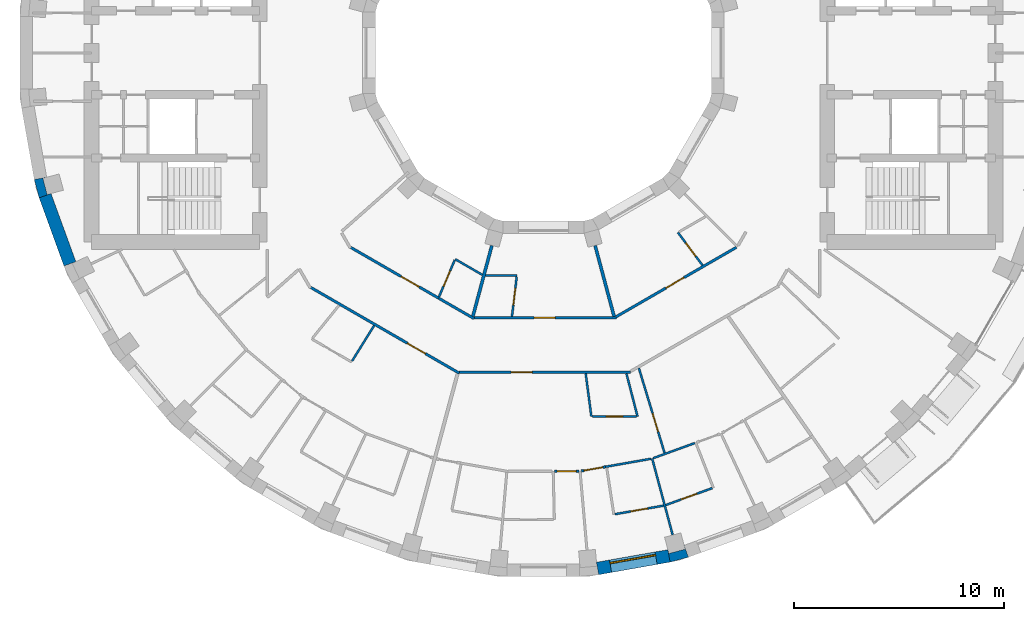
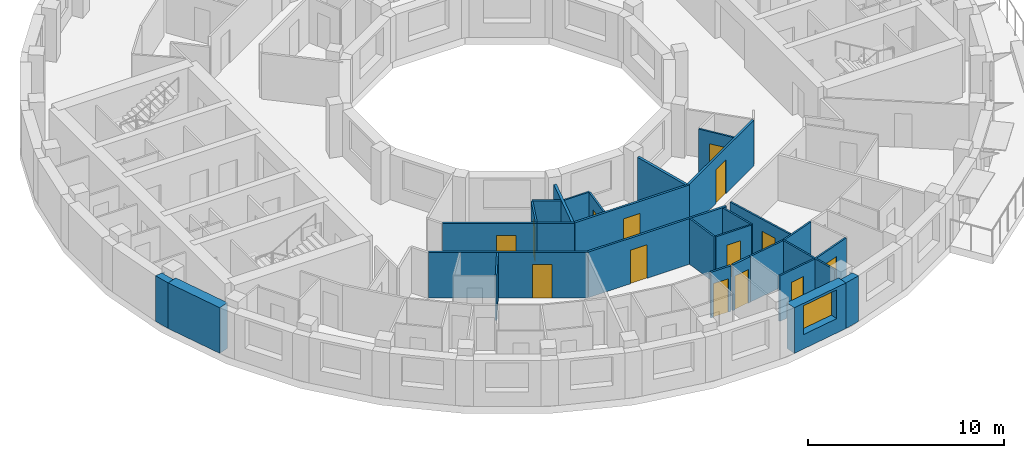
# One storey, part 5 of 14: 29 walls, 14 doors, 1 window, 15 openings.
"""IFC4 building model written with IfcOpenShell, lengths in metres."""

from ifc_helpers import new_model, si_unit, direction, frame, frame_2d, origin, place, context, subcontext, project, spatial, polyline, rectangle, outline, extrude, material, layer, layer_set, type_object, element, fill, save


model = new_model("IFC4")

# Units and contexts
model_context = context("Model", 3, precision=1e-05, world=origin(), true_north=direction((0.0, 1.0)))
body_context = subcontext(model_context, "Body", "Model", "MODEL_VIEW")
ifc_project = project(units=[si_unit("LENGTHUNIT", "METRE"), si_unit("AREAUNIT", "SQUARE_METRE"), si_unit("VOLUMEUNIT", "CUBIC_METRE"), si_unit("PLANEANGLEUNIT", "RADIAN"), si_unit("MASSUNIT", "GRAM", prefix="KILO")], contexts=[model_context])

# Site, building, storey
site_placement = place(None, origin())
site = spatial("IfcSite", under=ifc_project, at=site_placement, CompositionType="ELEMENT")
building_placement = place(site_placement, origin())
building = spatial("IfcBuilding", under=site, at=building_placement, Name="Saqina Gate Tower", CompositionType="ELEMENT")
storey_placement = place(building_placement, frame((0.0, 0.0, 174.0)))
storey = spatial("IfcBuildingStorey", under=building, at=storey_placement, Name="L49", CompositionType="ELEMENT", Elevation=174.0)

# Walls
ifc_material_1 = material(Name="Brick masonry (buff)", Category="masonry")
wall_type_1 = type_object("IfcWallType", Name="BRICK PIER COPING BUFF", PredefinedType="SOLIDWALL", material=ifc_material_1)
wall_1_placement = place(storey_placement, origin())
element("IfcWall", 1, at=wall_1_placement, inside=storey, type_object=wall_type_1, Name="Pier cap L49 column 20", PredefinedType="SOLIDWALL", context=body_context, shape_type="SweptSolid", body=[
    extrude(outline(polyline([(-24.22705078125, -6.0234375), (-23.992919921875, -6.897216796875), (-23.428955078125, -6.69189453125), (-23.610107421875, -6.740478515625), (-23.81689453125, -5.967529296875), (-23.635986328125, -5.919189453125), (-24.22705078125, -6.0234375)])), origin(), (0.0, 0.0, 1.0), 2.85009765625),
])
wall_2_placement = place(storey_placement, origin())
element("IfcWall", 2, at=wall_2_placement, inside=storey, type_object=wall_type_1, Name="Pier cap L49 column 29", PredefinedType="SOLIDWALL", context=body_context, shape_type="SweptSolid", body=[
    extrude(outline(polyline([(6.0234375, -24.22705078125), (6.897216796875, -23.992919921875), (6.69189453125, -23.428955078125), (6.740478515625, -23.610107421875), (5.967529296875, -23.81689453125), (5.919189453125, -23.635986328125), (6.0234375, -24.22705078125)])), origin(), (0.0, 0.0, 1.0), 2.85009765625),
])

# Wall, opening, window
ifc_material_2 = material(Name="Brick masonry (buff)", Category="masonry")
ifc_layer_1 = layer(ifc_material_2, 0.60009765625)
ifc_layer_set_1 = layer_set([ifc_layer_1], Name="FW-BRICK-BUFF")
wall_type_2 = type_object("IfcWallType", Name="FW-BRICK-BUFF", PredefinedType="SOLIDWALL", material=ifc_layer_set_1)
wall_3_placement = place(storey_placement, frame((2.573974609375, -24.530517578125, 0.0), z_axis=(0.0, 0.0, 1.0), x_axis=(0.984814892183, 0.173607684551, 0.0)))
wall_3 = element("IfcWall", 3, at=wall_3_placement, inside=storey, type_object=wall_type_2, Name="Facade wall L49 facet 28", PredefinedType="SOLIDWALL", context=body_context, shape_type="SweptSolid", body=[
    extrude(rectangle(XDim=3.44970703125, YDim=0.60009765625, at=frame_2d((1.724853515625, 0.0))), origin(), (0.0, 0.0, 1.0), 2.85009765625),
])
opening_1_placement = place(wall_3_placement, frame((0.625, 0.0, 0.89990234375)))
opening_1 = element("IfcOpeningElement", 4, at=opening_1_placement, cuts=wall_3, Name="Opening G14-W21", PredefinedType="OPENING", context=body_context, shape_type="SweptSolid", body=[
    extrude(rectangle(XDim=2.199951171875, YDim=1.800048828125, at=frame_2d((1.10009765625, 0.89990234375))), frame((0.0, 0.31201171875, 0.0), z_axis=(0.0, -1.0, 0.0), x_axis=(1.0, 0.0, 0.0)), (0.0, 0.0, 1.0), 0.6240234375),
])
ifc_material_3 = material(Name="Aluminium glazing", Category="aluminium")
window_type = type_object("IfcWindowType", Name="WN-C", PartitioningType="SINGLE_PANEL", PredefinedType="WINDOW", material=ifc_material_3)
window_placement = place(opening_1_placement, origin())
window = element("IfcWindow", 5, at=window_placement, inside=storey, type_object=window_type, Name="Window L49 facet 28", OverallHeight=1.800048828125, OverallWidth=2.199951171875, PartitioningType="SINGLE_PANEL", PredefinedType="WINDOW", context=body_context, shape_type="SweptSolid", body=[
    extrude(rectangle(XDim=2.199951171875, YDim=1.800048828125, at=frame_2d((1.10009765625, 0.89990234375))), frame((0.0, 0.179931640625, 0.0), z_axis=(0.0, -1.0, 0.0), x_axis=(1.0, 0.0, 0.0)), (0.0, 0.0, 1.0), 0.06005859375),
])
fill(opening_1, window)

# Walls
ifc_material_4 = material(Name="Glazed ceramic tile", Category="ceramic")
ifc_layer_2 = layer(ifc_material_4, 0.60009765625)
ifc_layer_set_2 = layer_set([ifc_layer_2], Name="FW-TILE")
wall_type_3 = type_object("IfcWallType", Name="FW-TILE", PredefinedType="SOLIDWALL", material=ifc_layer_set_2)
wall_4_placement = place(storey_placement, frame((-23.7109375, -6.79443359375, 0.0), z_axis=(0.0, 0.0, 1.0), x_axis=(0.342032843455, -0.93968799822, 0.0)))
element("IfcWall", 6, at=wall_4_placement, inside=storey, type_object=wall_type_3, Name="Facade wall L49 facet 20", PredefinedType="SOLIDWALL", context=body_context, shape_type="SweptSolid", body=[
    extrude(rectangle(XDim=3.44970703125, YDim=0.60009765625, at=frame_2d((1.724853515625, 0.0))), origin(), (0.0, 0.0, 1.0), 2.85009765625),
])
ifc_material_5 = material(Name="Gypsum board on steel studs, 100 mm", Category="steel")
ifc_layer_3 = layer(ifc_material_5, 0.10009765625)
ifc_layer_set_3 = layer_set([ifc_layer_3], Name="PARTITION 100")
wall_type_4 = type_object("IfcWallType", Name="PARTITION 100", PredefinedType="PARTITIONING", material=ifc_layer_set_3)
wall_5_placement = place(storey_placement, frame((2.00927734375, -15.261962890625, 0.0), z_axis=(0.0, 0.0, 1.0), x_axis=(0.130755571898, -0.991414635971, 0.0)))
element("IfcWall", 7, at=wall_5_placement, inside=storey, type_object=wall_type_4, Name="PARTITION PW3-07", PredefinedType="PARTITIONING", context=body_context, shape_type="SweptSolid", body=[
    extrude(rectangle(XDim=2.0556640625, YDim=0.10009765625, at=frame_2d((1.02783203125, 0.0))), origin(), (0.0, 0.0, 1.0), 2.85009765625),
])
wall_6_placement = place(storey_placement, frame((3.94775390625, -15.260498046875, 0.0), z_axis=(0.0, 0.0, 1.0), x_axis=(0.250326635419, -0.968161440876, 0.0)))
element("IfcWall", 8, at=wall_6_placement, inside=storey, type_object=wall_type_4, Name="PARTITION PW3-11", PredefinedType="PARTITIONING", context=body_context, shape_type="SweptSolid", body=[
    extrude(rectangle(XDim=2.106689453125, YDim=0.10009765625, at=frame_2d((1.05322265625, 0.0))), origin(), (0.0, 0.0, 1.0), 2.85009765625),
])
wall_7_placement = place(storey_placement, frame((5.1708984375, -19.300048828125, 0.0), z_axis=(0.0, 0.0, 1.0), x_axis=(0.259065026248, -0.965859882268, 0.0)))
element("IfcWall", 9, at=wall_7_placement, inside=storey, type_object=wall_type_4, Name="PARTITION PW3-12", PredefinedType="PARTITIONING", context=body_context, shape_type="SweptSolid", body=[
    extrude(rectangle(XDim=3.75927734375, YDim=0.10009765625, at=frame_2d((1.879638671875, 0.0))), origin(), (0.0, 0.0, 1.0), 2.85009765625),
])

# Wall, opening, door
wall_8_placement = place(storey_placement, frame((4.539306640625, -15.0009765625, 0.0), z_axis=(0.0, 0.0, 1.0), x_axis=(0.289622909768, -0.95714083088, 0.0)))
wall_8 = element("IfcWall", 10, at=wall_8_placement, inside=storey, type_object=wall_type_4, Name="PARTITION PW3-14", PredefinedType="PARTITIONING", context=body_context, shape_type="SweptSolid", body=[
    extrude(rectangle(XDim=4.212158203125, YDim=0.10009765625, at=frame_2d((2.10595703125, 0.0))), origin(), (0.0, 0.0, 1.0), 2.85009765625),
])
opening_2_placement = place(wall_8_placement, frame((2.25, 0.0, 0.0)))
opening_2 = element("IfcOpeningElement", 11, at=opening_2_placement, cuts=wall_8, Name="Opening G14-D54", PredefinedType="OPENING", context=body_context, shape_type="SweptSolid", body=[
    extrude(rectangle(XDim=0.89990234375, YDim=2.10009765625, at=frame_2d((0.449951171875, 1.050048828125))), frame((0.0, 0.06201171875, 0.0), z_axis=(0.0, -1.0, 0.0), x_axis=(1.0, 0.0, 0.0)), (0.0, 0.0, 1.0), 0.1240234375),
])
ifc_material_6 = material(Name="Timber door leaf, 900 mm", Category="wood")
door_type_1 = type_object("IfcDoorType", Name="DOOR 900 TIMBER", OperationType="SINGLE_SWING_LEFT", PredefinedType="DOOR", material=ifc_material_6)
door_1_placement = place(opening_2_placement, frame((0.89990234375, 0.0, 0.0), z_axis=(0.0, 0.0, 1.0), x_axis=(-1.0, 0.0, 0.0)))
door_1 = element("IfcDoor", 12, at=door_1_placement, inside=storey, type_object=door_type_1, Name="DOOR G14-D54", OperationType="SINGLE_SWING_RIGHT", OverallHeight=2.10009765625, OverallWidth=0.89990234375, PredefinedType="DOOR", context=body_context, shape_type="SweptSolid", body=[
    extrude(rectangle(XDim=0.89990234375, YDim=2.10009765625, at=frame_2d((0.449951171875, 1.050048828125))), frame((0.0, 0.02490234375, 0.0), z_axis=(0.0, -1.0, 0.0), x_axis=(1.0, 0.0, 0.0)), (0.0, 0.0, 1.0), 0.050048828125),
])
fill(opening_2, door_1)

wall_9_placement = place(storey_placement, frame((6.39697265625, -8.5458984375, 0.0), z_axis=(0.0, 0.0, 1.0), x_axis=(0.59915927021, -0.800629857626, 0.0)))
wall_9 = element("IfcWall", 13, at=wall_9_placement, inside=storey, type_object=wall_type_4, Name="PARTITION PW3-25", PredefinedType="PARTITIONING", context=body_context, shape_type="SweptSolid", body=[
    extrude(rectangle(XDim=1.9521484375, YDim=0.10009765625, at=frame_2d((0.97607421875, 0.0))), origin(), (0.0, 0.0, 1.0), 2.85009765625),
])
opening_3_placement = place(wall_9_placement, frame((0.607421875, 0.0, 0.0)))
opening_3 = element("IfcOpeningElement", 14, at=opening_3_placement, cuts=wall_9, Name="Opening G14-D60", PredefinedType="OPENING", context=body_context, shape_type="SweptSolid", body=[
    extrude(rectangle(XDim=0.800048828125, YDim=2.10009765625, at=frame_2d((0.39990234375, 1.050048828125))), frame((0.0, 0.06201171875, 0.0), z_axis=(0.0, -1.0, 0.0), x_axis=(1.0, 0.0, 0.0)), (0.0, 0.0, 1.0), 0.1240234375),
])
ifc_material_7 = material(Name="Timber door leaf, 800 mm", Category="wood")
door_type_2 = type_object("IfcDoorType", Name="DOOR 800 TIMBER", OperationType="SINGLE_SWING_LEFT", PredefinedType="DOOR", material=ifc_material_7)
door_2_placement = place(opening_3_placement, frame((0.800048828125, 0.0, 0.0), z_axis=(0.0, 0.0, 1.0), x_axis=(-1.0, 0.0, 0.0)))
door_2 = element("IfcDoor", 15, at=door_2_placement, inside=storey, type_object=door_type_2, Name="DOOR G14-D60", OperationType="SINGLE_SWING_LEFT", OverallHeight=2.10009765625, OverallWidth=0.800048828125, PredefinedType="DOOR", context=body_context, shape_type="SweptSolid", body=[
    extrude(rectangle(XDim=0.800048828125, YDim=2.10009765625, at=frame_2d((0.39990234375, 1.050048828125))), frame((0.0, 0.02490234375, 0.0), z_axis=(0.0, -1.0, 0.0), x_axis=(1.0, 0.0, 0.0)), (0.0, 0.0, 1.0), 0.050048828125),
])
fill(opening_3, door_2)

# Wall
wall_10_placement = place(storey_placement, frame((-4.202880859375, -9.81298828125, 0.0), z_axis=(0.0, 0.0, 1.0), x_axis=(0.865968547448, -0.500098465136, 0.0)))
element("IfcWall", 16, at=wall_10_placement, inside=storey, type_object=wall_type_4, Name="PARTITION PW3-38", PredefinedType="PARTITIONING", context=body_context, shape_type="SweptSolid", body=[
    extrude(rectangle(XDim=1.498779296875, YDim=0.10009765625, at=frame_2d((0.74951171875, 0.0))), origin(), (0.0, 0.0, 1.0), 2.85009765625),
])

# Wall, opening, door
wall_11_placement = place(storey_placement, frame((2.327880859375, -17.300048828125, 0.0), z_axis=(0.0, 0.0, 1.0), x_axis=(1.0, 0.0, 0.0)))
wall_11 = element("IfcWall", 17, at=wall_11_placement, inside=storey, type_object=wall_type_4, Name="PARTITION PW3-52", PredefinedType="PARTITIONING", context=body_context, shape_type="SweptSolid", body=[
    extrude(rectangle(XDim=2.09716796875, YDim=0.10009765625, at=frame_2d((1.048583984375, 0.0))), origin(), (0.0, 0.0, 1.0), 2.85009765625),
])
opening_4_placement = place(wall_11_placement, frame((0.6484375, 0.0, 0.0)))
opening_4 = element("IfcOpeningElement", 18, at=opening_4_placement, cuts=wall_11, Name="Opening G14-D52", PredefinedType="OPENING", context=body_context, shape_type="SweptSolid", body=[
    extrude(rectangle(XDim=0.800048828125, YDim=2.10009765625, at=frame_2d((0.39990234375, 1.050048828125))), frame((0.0, 0.06201171875, 0.0), z_axis=(0.0, -1.0, 0.0), x_axis=(1.0, 0.0, 0.0)), (0.0, 0.0, 1.0), 0.1240234375),
])
door_3_placement = place(opening_4_placement, frame((0.800048828125, 0.0, 0.0), z_axis=(0.0, 0.0, 1.0), x_axis=(-1.0, 0.0, 0.0)))
door_3 = element("IfcDoor", 19, at=door_3_placement, inside=storey, type_object=door_type_2, Name="DOOR G14-D52", OperationType="SINGLE_SWING_LEFT", OverallHeight=2.10009765625, OverallWidth=0.800048828125, PredefinedType="DOOR", context=body_context, shape_type="SweptSolid", body=[
    extrude(rectangle(XDim=0.800048828125, YDim=2.10009765625, at=frame_2d((0.39990234375, 1.050048828125))), frame((0.0, 0.02490234375, 0.0), z_axis=(0.0, -1.0, 0.0), x_axis=(1.0, 0.0, 0.0)), (0.0, 0.0, 1.0), 0.050048828125),
])
fill(opening_4, door_3)

# Wall
wall_12_placement = place(storey_placement, frame((-2.764892578125, -10.60009765625, 0.0), z_axis=(0.0, 0.0, 1.0), x_axis=(1.0, 0.0, 0.0)))
element("IfcWall", 20, at=wall_12_placement, inside=storey, type_object=wall_type_4, Name="PARTITION PW3-53", PredefinedType="PARTITIONING", context=body_context, shape_type="SweptSolid", body=[
    extrude(rectangle(XDim=1.497802734375, YDim=0.10009765625, at=frame_2d((0.7490234375, 0.0))), origin(), (0.0, 0.0, 1.0), 2.85009765625),
])

# Wall, opening, door
wall_13_placement = place(storey_placement, frame((3.396240234375, -21.9482421875, 0.0), z_axis=(0.0, 0.0, 1.0), x_axis=(0.984809591131, 0.173637752855, 0.0)))
wall_13 = element("IfcWall", 21, at=wall_13_placement, inside=storey, type_object=wall_type_4, Name="PARTITION PW3-58", PredefinedType="PARTITIONING", context=body_context, shape_type="SweptSolid", body=[
    extrude(rectangle(XDim=2.359375, YDim=0.10009765625, at=frame_2d((1.1796875, 0.0))), origin(), (0.0, 0.0, 1.0), 2.85009765625),
])
opening_5_placement = place(wall_13_placement, frame((0.77978515625, 0.0, 0.0)))
opening_5 = element("IfcOpeningElement", 22, at=opening_5_placement, cuts=wall_13, Name="Opening G14-D53", PredefinedType="OPENING", context=body_context, shape_type="SweptSolid", body=[
    extrude(rectangle(XDim=0.800048828125, YDim=2.10009765625, at=frame_2d((0.39990234375, 1.050048828125))), frame((0.0, 0.06201171875, 0.0), z_axis=(0.0, -1.0, 0.0), x_axis=(1.0, 0.0, 0.0)), (0.0, 0.0, 1.0), 0.1240234375),
])
door_4_placement = place(opening_5_placement, frame((0.800048828125, 0.0, 0.0), z_axis=(0.0, 0.0, 1.0), x_axis=(-1.0, 0.0, 0.0)))
door_4 = element("IfcDoor", 23, at=door_4_placement, inside=storey, type_object=door_type_2, Name="DOOR G14-D53", OperationType="SINGLE_SWING_LEFT", OverallHeight=2.10009765625, OverallWidth=0.800048828125, PredefinedType="DOOR", context=body_context, shape_type="SweptSolid", body=[
    extrude(rectangle(XDim=0.800048828125, YDim=2.10009765625, at=frame_2d((0.39990234375, 1.050048828125))), frame((0.0, 0.02490234375, 0.0), z_axis=(0.0, -1.0, 0.0), x_axis=(1.0, 0.0, 0.0)), (0.0, 0.0, 1.0), 0.050048828125),
])
fill(opening_5, door_4)

# Wall
wall_14_placement = place(storey_placement, frame((2.95068359375, -19.69189453125, 0.0), z_axis=(0.0, 0.0, 1.0), x_axis=(0.984828120468, 0.173532628446, 0.0)))
element("IfcWall", 24, at=wall_14_placement, inside=storey, type_object=wall_type_4, Name="PARTITION PW3-59", PredefinedType="PARTITIONING", context=body_context, shape_type="SweptSolid", body=[
    extrude(rectangle(XDim=2.20458984375, YDim=0.10009765625, at=frame_2d((1.102294921875, 0.0))), origin(), (0.0, 0.0, 1.0), 2.85009765625),
])

# Wall, opening, door
wall_15_placement = place(storey_placement, frame((5.81591796875, -21.512939453125, 0.0), z_axis=(0.0, 0.0, 1.0), x_axis=(0.939699727678, 0.342000616669, 0.0)))
wall_15 = element("IfcWall", 25, at=wall_15_placement, inside=storey, type_object=wall_type_4, Name="PARTITION PW3-62", PredefinedType="PARTITIONING", context=body_context, shape_type="SweptSolid", body=[
    extrude(rectangle(XDim=2.359375, YDim=0.10009765625, at=frame_2d((1.1796875, 0.0))), origin(), (0.0, 0.0, 1.0), 2.85009765625),
])
opening_6_placement = place(wall_15_placement, frame((0.779541015625, 0.0, 0.0)))
opening_6 = element("IfcOpeningElement", 26, at=opening_6_placement, cuts=wall_15, Name="Opening G14-D55", PredefinedType="OPENING", context=body_context, shape_type="SweptSolid", body=[
    extrude(rectangle(XDim=0.800048828125, YDim=2.10009765625, at=frame_2d((0.39990234375, 1.050048828125))), frame((0.0, 0.06201171875, 0.0), z_axis=(0.0, -1.0, 0.0), x_axis=(1.0, 0.0, 0.0)), (0.0, 0.0, 1.0), 0.1240234375),
])
door_5_placement = place(opening_6_placement, frame((0.800048828125, 0.0, 0.0), z_axis=(0.0, 0.0, 1.0), x_axis=(-1.0, 0.0, 0.0)))
door_5 = element("IfcDoor", 27, at=door_5_placement, inside=storey, type_object=door_type_2, Name="DOOR G14-D55", OperationType="SINGLE_SWING_RIGHT", OverallHeight=2.10009765625, OverallWidth=0.800048828125, PredefinedType="DOOR", context=body_context, shape_type="SweptSolid", body=[
    extrude(rectangle(XDim=0.800048828125, YDim=2.10009765625, at=frame_2d((0.39990234375, 1.050048828125))), frame((0.0, 0.02490234375, 0.0), z_axis=(0.0, -1.0, 0.0), x_axis=(1.0, 0.0, 0.0)), (0.0, 0.0, 1.0), 0.050048828125),
])
fill(opening_6, door_5)

# Walls
wall_16_placement = place(storey_placement, frame((5.218017578125, -19.282958984375, 0.0), z_axis=(0.0, 0.0, 1.0), x_axis=(0.939938953839, 0.341342588987, 0.0)))
element("IfcWall", 28, at=wall_16_placement, inside=storey, type_object=wall_type_4, Name="PARTITION PW3-63", PredefinedType="PARTITIONING", context=body_context, shape_type="SweptSolid", body=[
    extrude(rectangle(XDim=2.10498046875, YDim=0.10009765625, at=frame_2d((1.052490234375, 0.0))), origin(), (0.0, 0.0, 1.0), 2.85009765625),
])
wall_17_placement = place(storey_placement, frame((-9.106689453125, -14.66064453125, 0.0), z_axis=(0.0, 0.0, 1.0), x_axis=(0.528010719156, 0.849237705508, 0.0)))
element("IfcWall", 29, at=wall_17_placement, inside=storey, type_object=wall_type_4, Name="PARTITION PW3-90", PredefinedType="PARTITIONING", context=body_context, shape_type="SweptSolid", body=[
    extrude(rectangle(XDim=1.98828125, YDim=0.10009765625, at=frame_2d((0.994140625, 0.0))), origin(), (0.0, 0.0, 1.0), 2.85009765625),
])

# Wall, opening, door
wall_18_placement = place(storey_placement, frame((-4.971435546875, -11.607421875, 0.0), z_axis=(0.0, 0.0, 1.0), x_axis=(0.393655939277, 0.919257853636, 0.0)))
wall_18 = element("IfcWall", 30, at=wall_18_placement, inside=storey, type_object=wall_type_4, Name="PARTITION PW3-95", PredefinedType="PARTITIONING", context=body_context, shape_type="SweptSolid", body=[
    extrude(rectangle(XDim=1.902099609375, YDim=0.10009765625, at=frame_2d((0.951171875, 0.0))), origin(), (0.0, 0.0, 1.0), 2.85009765625),
])
opening_7_placement = place(wall_18_placement, frame((0.544677734375, 0.0, 0.0)))
opening_7 = element("IfcOpeningElement", 31, at=opening_7_placement, cuts=wall_18, Name="Opening G14-D41", PredefinedType="OPENING", context=body_context, shape_type="SweptSolid", body=[
    extrude(rectangle(XDim=0.800048828125, YDim=2.10009765625, at=frame_2d((0.39990234375, 1.050048828125))), frame((0.0, 0.06201171875, 0.0), z_axis=(0.0, -1.0, 0.0), x_axis=(1.0, 0.0, 0.0)), (0.0, 0.0, 1.0), 0.1240234375),
])
door_6_placement = place(opening_7_placement, origin())
door_6 = element("IfcDoor", 32, at=door_6_placement, inside=storey, type_object=door_type_2, Name="DOOR G14-D41", OperationType="SINGLE_SWING_LEFT", OverallHeight=2.10009765625, OverallWidth=0.800048828125, PredefinedType="DOOR", context=body_context, shape_type="SweptSolid", body=[
    extrude(rectangle(XDim=0.800048828125, YDim=2.10009765625, at=frame_2d((0.39990234375, 1.050048828125))), frame((0.0, 0.02490234375, 0.0), z_axis=(0.0, -1.0, 0.0), x_axis=(1.0, 0.0, 0.0)), (0.0, 0.0, 1.0), 0.050048828125),
])
fill(opening_7, door_6)

wall_19_placement = place(storey_placement, frame((-1.49853515625, -12.537841796875, 0.0), z_axis=(0.0, 0.0, 1.0), x_axis=(0.118628824783, 0.992938669773, 0.0)))
wall_19 = element("IfcWall", 33, at=wall_19_placement, inside=storey, type_object=wall_type_4, Name="PARTITION PW3-100", PredefinedType="PARTITIONING", context=body_context, shape_type="SweptSolid", body=[
    extrude(rectangle(XDim=1.901611328125, YDim=0.10009765625, at=frame_2d((0.95068359375, 0.0))), origin(), (0.0, 0.0, 1.0), 2.85009765625),
])
opening_8_placement = place(wall_19_placement, frame((0.544677734375, 0.0, 0.0)))
opening_8 = element("IfcOpeningElement", 34, at=opening_8_placement, cuts=wall_19, Name="Opening G14-D46", PredefinedType="OPENING", context=body_context, shape_type="SweptSolid", body=[
    extrude(rectangle(XDim=0.800048828125, YDim=2.10009765625, at=frame_2d((0.39990234375, 1.050048828125))), frame((0.0, 0.06201171875, 0.0), z_axis=(0.0, -1.0, 0.0), x_axis=(1.0, 0.0, 0.0)), (0.0, 0.0, 1.0), 0.1240234375),
])
door_7_placement = place(opening_8_placement, frame((0.800048828125, 0.0, 0.0), z_axis=(0.0, 0.0, 1.0), x_axis=(-1.0, 0.0, 0.0)))
door_7 = element("IfcDoor", 35, at=door_7_placement, inside=storey, type_object=door_type_2, Name="DOOR G14-D46", OperationType="SINGLE_SWING_RIGHT", OverallHeight=2.10009765625, OverallWidth=0.800048828125, PredefinedType="DOOR", context=body_context, shape_type="SweptSolid", body=[
    extrude(rectangle(XDim=0.800048828125, YDim=2.10009765625, at=frame_2d((0.39990234375, 1.050048828125))), frame((0.0, 0.02490234375, 0.0), z_axis=(0.0, -1.0, 0.0), x_axis=(1.0, 0.0, 0.0)), (0.0, 0.0, 1.0), 0.050048828125),
])
fill(opening_8, door_7)

ifc_material_8 = material(Name="Gypsum board on steel studs, 125 mm, fire rated", Category="steel")
ifc_layer_4 = layer(ifc_material_8, 0.125)
ifc_layer_set_4 = layer_set([ifc_layer_4], Name="PARTITION EI 30 125")
wall_type_5 = type_object("IfcWallType", Name="PARTITION EI 30 125", PredefinedType="PARTITIONING", material=ifc_layer_set_4)
wall_20_placement = place(storey_placement, frame((-11.07275390625, -11.158203125, 0.0), z_axis=(0.0, 0.0, 1.0), x_axis=(0.865999621737, -0.500044653157, 0.0)))
wall_20 = element("IfcWall", 36, at=wall_20_placement, inside=storey, type_object=wall_type_5, Name="PARTITION PW1-16", PredefinedType="PARTITIONING", context=body_context, shape_type="SweptSolid", body=[
    extrude(rectangle(XDim=8.155029296875, YDim=0.125, at=frame_2d((4.07763671875, 0.0))), origin(), (0.0, 0.0, 1.0), 2.85009765625),
])
opening_9_placement = place(wall_20_placement, frame((5.302001953125, 0.0, 0.0)))
opening_9 = element("IfcOpeningElement", 37, at=opening_9_placement, cuts=wall_20, Name="Opening G14-D40", PredefinedType="OPENING", context=body_context, shape_type="SweptSolid", body=[
    extrude(rectangle(XDim=1.0, YDim=2.10009765625, at=frame_2d((0.5, 1.050048828125))), frame((0.0, 0.074462890625, 0.0), z_axis=(0.0, -1.0, 0.0), x_axis=(1.0, 0.0, 0.0)), (0.0, 0.0, 1.0), 0.14892578125),
])
ifc_material_9 = material(Name="Fire door leaf EI 30, 1000 mm")
door_type_3 = type_object("IfcDoorType", Name="DOOR 1000 EI 30", OperationType="SINGLE_SWING_LEFT", PredefinedType="DOOR", material=ifc_material_9)
door_8_placement = place(opening_9_placement, frame((1.0, 0.0, 0.0), z_axis=(0.0, 0.0, 1.0), x_axis=(-1.0, 0.0, 0.0)))
door_8 = element("IfcDoor", 38, at=door_8_placement, inside=storey, type_object=door_type_3, Name="DOOR G14-D40", OperationType="SINGLE_SWING_LEFT", OverallHeight=2.10009765625, OverallWidth=1.0, PredefinedType="DOOR", context=body_context, shape_type="SweptSolid", body=[
    extrude(rectangle(XDim=1.0, YDim=2.10009765625, at=frame_2d((0.5, 1.050048828125))), frame((0.0, 0.02490234375, 0.0), z_axis=(0.0, -1.0, 0.0), x_axis=(1.0, 0.0, 0.0)), (0.0, 0.0, 1.0), 0.050048828125),
])
fill(opening_9, door_8)

wall_21_placement = place(storey_placement, frame((-9.169921875, -9.255126953125, 0.0), z_axis=(0.0, 0.0, 1.0), x_axis=(0.866034433151, -0.499984360352, 0.0)))
wall_21 = element("IfcWall", 39, at=wall_21_placement, inside=storey, type_object=wall_type_5, Name="PARTITION PW1-17", PredefinedType="PARTITIONING", context=body_context, shape_type="SweptSolid", body=[
    extrude(rectangle(XDim=4.841552734375, YDim=0.125, at=frame_2d((2.4208984375, 0.0))), origin(), (0.0, 0.0, 1.0), 2.85009765625),
])
opening_10_placement = place(wall_21_placement, frame((2.762939453125, 0.0, 0.0)))
opening_10 = element("IfcOpeningElement", 40, at=opening_10_placement, cuts=wall_21, Name="Opening G14-D38", PredefinedType="OPENING", context=body_context, shape_type="SweptSolid", body=[
    extrude(rectangle(XDim=1.0, YDim=2.10009765625, at=frame_2d((0.5, 1.050048828125))), frame((0.0, 0.074462890625, 0.0), z_axis=(0.0, -1.0, 0.0), x_axis=(1.0, 0.0, 0.0)), (0.0, 0.0, 1.0), 0.14892578125),
])
door_9_placement = place(opening_10_placement, origin())
door_9 = element("IfcDoor", 41, at=door_9_placement, inside=storey, type_object=door_type_3, Name="DOOR G14-D38", OperationType="SINGLE_SWING_RIGHT", OverallHeight=2.10009765625, OverallWidth=1.0, PredefinedType="DOOR", context=body_context, shape_type="SweptSolid", body=[
    extrude(rectangle(XDim=1.0, YDim=2.10009765625, at=frame_2d((0.5, 1.050048828125))), frame((0.0, 0.02490234375, 0.0), z_axis=(0.0, -1.0, 0.0), x_axis=(1.0, 0.0, 0.0)), (0.0, 0.0, 1.0), 0.050048828125),
])
fill(opening_10, door_9)

# Wall
wall_22_placement = place(storey_placement, frame((-4.97705078125, -11.67578125, 0.0), z_axis=(0.0, 0.0, 1.0), x_axis=(0.866083998124, -0.49989849789, 0.0)))
element("IfcWall", 42, at=wall_22_placement, inside=storey, type_object=wall_type_5, Name="PARTITION PW1-18", PredefinedType="PARTITIONING", context=body_context, shape_type="SweptSolid", body=[
    extrude(rectangle(XDim=1.9208984375, YDim=0.125, at=frame_2d((0.96044921875, 0.0))), origin(), (0.0, 0.0, 1.0), 2.85009765625),
])

# Wall, opening, door
wall_23_placement = place(storey_placement, frame((0.512939453125, -19.905029296875, 0.0), z_axis=(0.0, 0.0, 1.0), x_axis=(1.0, 0.0, 0.0)))
wall_23 = element("IfcWall", 43, at=wall_23_placement, inside=storey, type_object=wall_type_5, Name="PARTITION PW1-26", PredefinedType="PARTITIONING", context=body_context, shape_type="SweptSolid", body=[
    extrude(rectangle(XDim=1.177978515625, YDim=0.125, at=frame_2d((0.5888671875, 0.0))), origin(), (0.0, 0.0, 1.0), 2.85009765625),
])
opening_11_placement = place(wall_23_placement, frame((0.138916015625, 0.0, 0.0)))
opening_11 = element("IfcOpeningElement", 44, at=opening_11_placement, cuts=wall_23, Name="Opening G14-D50", PredefinedType="OPENING", context=body_context, shape_type="SweptSolid", body=[
    extrude(rectangle(XDim=0.89990234375, YDim=2.10009765625, at=frame_2d((0.449951171875, 1.050048828125))), frame((0.0, 0.074462890625, 0.0), z_axis=(0.0, -1.0, 0.0), x_axis=(1.0, 0.0, 0.0)), (0.0, 0.0, 1.0), 0.14892578125),
])
ifc_material_10 = material(Name="Fire door leaf EI 30, 900 mm")
door_type_4 = type_object("IfcDoorType", Name="DOOR 900 EI 30", OperationType="SINGLE_SWING_LEFT", PredefinedType="DOOR", material=ifc_material_10)
door_10_placement = place(opening_11_placement, origin())
door_10 = element("IfcDoor", 45, at=door_10_placement, inside=storey, type_object=door_type_4, Name="DOOR G14-D50", OperationType="SINGLE_SWING_RIGHT", OverallHeight=2.10009765625, OverallWidth=0.89990234375, PredefinedType="DOOR", context=body_context, shape_type="SweptSolid", body=[
    extrude(rectangle(XDim=0.89990234375, YDim=2.10009765625, at=frame_2d((0.449951171875, 1.050048828125))), frame((0.0, 0.02490234375, 0.0), z_axis=(0.0, -1.0, 0.0), x_axis=(1.0, 0.0, 0.0)), (0.0, 0.0, 1.0), 0.050048828125),
])
fill(opening_11, door_10)

wall_24_placement = place(storey_placement, frame((-4.010498046875, -15.199951171875, 0.0), z_axis=(0.0, 0.0, 1.0), x_axis=(1.0, 0.0, 0.0)))
wall_24 = element("IfcWall", 46, at=wall_24_placement, inside=storey, type_object=wall_type_5, Name="PARTITION PW1-27", PredefinedType="PARTITIONING", context=body_context, shape_type="SweptSolid", body=[
    extrude(rectangle(XDim=8.155517578125, YDim=0.125, at=frame_2d((4.07763671875, 0.0))), origin(), (0.0, 0.0, 1.0), 2.85009765625),
])
opening_12_placement = place(wall_24_placement, frame((2.474609375, 0.0, 0.0)))
opening_12 = element("IfcOpeningElement", 47, at=opening_12_placement, cuts=wall_24, Name="Opening G14-D47", PredefinedType="OPENING", context=body_context, shape_type="SweptSolid", body=[
    extrude(rectangle(XDim=1.0, YDim=2.10009765625, at=frame_2d((0.5, 1.050048828125))), frame((0.0, 0.074462890625, 0.0), z_axis=(0.0, -1.0, 0.0), x_axis=(1.0, 0.0, 0.0)), (0.0, 0.0, 1.0), 0.14892578125),
])
door_11_placement = place(opening_12_placement, frame((1.0, 0.0, 0.0), z_axis=(0.0, 0.0, 1.0), x_axis=(-1.0, 0.0, 0.0)))
door_11 = element("IfcDoor", 48, at=door_11_placement, inside=storey, type_object=door_type_3, Name="DOOR G14-D47", OperationType="SINGLE_SWING_RIGHT", OverallHeight=2.10009765625, OverallWidth=1.0, PredefinedType="DOOR", context=body_context, shape_type="SweptSolid", body=[
    extrude(rectangle(XDim=1.0, YDim=2.10009765625, at=frame_2d((0.5, 1.050048828125))), frame((0.0, 0.02490234375, 0.0), z_axis=(0.0, -1.0, 0.0), x_axis=(1.0, 0.0, 0.0)), (0.0, 0.0, 1.0), 0.050048828125),
])
fill(opening_12, door_11)

wall_25_placement = place(storey_placement, frame((-3.3134765625, -12.60009765625, 0.0), z_axis=(0.0, 0.0, 1.0), x_axis=(1.0, 0.0, 0.0)))
wall_25 = element("IfcWall", 49, at=wall_25_placement, inside=storey, type_object=wall_type_5, Name="PARTITION PW1-28", PredefinedType="PARTITIONING", context=body_context, shape_type="SweptSolid", body=[
    extrude(rectangle(XDim=6.776123046875, YDim=0.125, at=frame_2d((3.38818359375, 0.0))), origin(), (0.0, 0.0, 1.0), 2.85009765625),
])
opening_13_placement = place(wall_25_placement, frame((2.864013671875, 0.0, 0.0)))
opening_13 = element("IfcOpeningElement", 50, at=opening_13_placement, cuts=wall_25, Name="Opening G14-D49", PredefinedType="OPENING", context=body_context, shape_type="SweptSolid", body=[
    extrude(rectangle(XDim=1.0, YDim=2.10009765625, at=frame_2d((0.5, 1.050048828125))), frame((0.0, 0.074462890625, 0.0), z_axis=(0.0, -1.0, 0.0), x_axis=(1.0, 0.0, 0.0)), (0.0, 0.0, 1.0), 0.14892578125),
])
door_12_placement = place(opening_13_placement, origin())
door_12 = element("IfcDoor", 51, at=door_12_placement, inside=storey, type_object=door_type_3, Name="DOOR G14-D49", OperationType="SINGLE_SWING_LEFT", OverallHeight=2.10009765625, OverallWidth=1.0, PredefinedType="DOOR", context=body_context, shape_type="SweptSolid", body=[
    extrude(rectangle(XDim=1.0, YDim=2.10009765625, at=frame_2d((0.5, 1.050048828125))), frame((0.0, 0.02490234375, 0.0), z_axis=(0.0, -1.0, 0.0), x_axis=(1.0, 0.0, 0.0)), (0.0, 0.0, 1.0), 0.050048828125),
])
fill(opening_13, door_12)

wall_26_placement = place(storey_placement, frame((1.802490234375, -19.89404296875, 0.0), z_axis=(0.0, 0.0, 1.0), x_axis=(0.984853048851, 0.173391095992, 0.0)))
wall_26 = element("IfcWall", 52, at=wall_26_placement, inside=storey, type_object=wall_type_5, Name="PARTITION PW1-32", PredefinedType="PARTITIONING", context=body_context, shape_type="SweptSolid", body=[
    extrude(rectangle(XDim=1.165771484375, YDim=0.125, at=frame_2d((0.5830078125, 0.0))), origin(), (0.0, 0.0, 1.0), 2.85009765625),
])
opening_14_placement = place(wall_26_placement, frame((0.126708984375, 0.0, 0.0)))
opening_14 = element("IfcOpeningElement", 53, at=opening_14_placement, cuts=wall_26, Name="Opening G14-D51", PredefinedType="OPENING", context=body_context, shape_type="SweptSolid", body=[
    extrude(rectangle(XDim=0.89990234375, YDim=2.10009765625, at=frame_2d((0.449951171875, 1.050048828125))), frame((0.0, 0.074462890625, 0.0), z_axis=(0.0, -1.0, 0.0), x_axis=(1.0, 0.0, 0.0)), (0.0, 0.0, 1.0), 0.14892578125),
])
door_13_placement = place(opening_14_placement, origin())
door_13 = element("IfcDoor", 54, at=door_13_placement, inside=storey, type_object=door_type_4, Name="DOOR G14-D51", OperationType="SINGLE_SWING_LEFT", OverallHeight=2.10009765625, OverallWidth=0.89990234375, PredefinedType="DOOR", context=body_context, shape_type="SweptSolid", body=[
    extrude(rectangle(XDim=0.89990234375, YDim=2.10009765625, at=frame_2d((0.449951171875, 1.050048828125))), frame((0.0, 0.02490234375, 0.0), z_axis=(0.0, -1.0, 0.0), x_axis=(1.0, 0.0, 0.0)), (0.0, 0.0, 1.0), 0.050048828125),
])
fill(opening_14, door_13)

wall_27_placement = place(storey_placement, frame((3.44091796875, -12.5625, 0.0), z_axis=(0.0, 0.0, 1.0), x_axis=(0.866049406461, 0.49995842384, 0.0)))
wall_27 = element("IfcWall", 55, at=wall_27_placement, inside=storey, type_object=wall_type_5, Name="PARTITION PW1-38", PredefinedType="PARTITIONING", context=body_context, shape_type="SweptSolid", body=[
    extrude(rectangle(XDim=6.62744140625, YDim=0.125, at=frame_2d((3.313720703125, 0.0))), origin(), (0.0, 0.0, 1.0), 2.85009765625),
])
opening_15_placement = place(wall_27_placement, frame((2.75048828125, 0.0, 0.0)))
opening_15 = element("IfcOpeningElement", 56, at=opening_15_placement, cuts=wall_27, Name="Opening G14-D58", PredefinedType="OPENING", context=body_context, shape_type="SweptSolid", body=[
    extrude(rectangle(XDim=1.0, YDim=2.10009765625, at=frame_2d((0.5, 1.050048828125))), frame((0.0, 0.074462890625, 0.0), z_axis=(0.0, -1.0, 0.0), x_axis=(1.0, 0.0, 0.0)), (0.0, 0.0, 1.0), 0.14892578125),
])
door_14_placement = place(opening_15_placement, origin())
door_14 = element("IfcDoor", 57, at=door_14_placement, inside=storey, type_object=door_type_3, Name="DOOR G14-D58", OperationType="SINGLE_SWING_LEFT", OverallHeight=2.10009765625, OverallWidth=1.0, PredefinedType="DOOR", context=body_context, shape_type="SweptSolid", body=[
    extrude(rectangle(XDim=1.0, YDim=2.10009765625, at=frame_2d((0.5, 1.050048828125))), frame((0.0, 0.02490234375, 0.0), z_axis=(0.0, -1.0, 0.0), x_axis=(1.0, 0.0, 0.0)), (0.0, 0.0, 1.0), 0.050048828125),
])
fill(opening_15, door_14)

# Walls
ifc_material_11 = material(Name="Gypsum board on steel studs, 150 mm, fire rated", Category="steel")
ifc_layer_5 = layer(ifc_material_11, 0.14990234375)
ifc_layer_set_5 = layer_set([ifc_layer_5], Name="PARTITION EI 60 150")
wall_type_6 = type_object("IfcWallType", Name="PARTITION EI 60 150", PredefinedType="PARTITIONING", material=ifc_layer_set_5)
wall_28_placement = place(storey_placement, frame((2.45751953125, -9.16845703125, 0.0), z_axis=(0.0, 0.0, 1.0), x_axis=(0.258289617132, -0.966067530601, 0.0)))
element("IfcWall", 58, at=wall_28_placement, inside=storey, type_object=wall_type_6, Name="PARTITION PW2-02", PredefinedType="PARTITIONING", context=body_context, shape_type="SweptSolid", body=[
    extrude(rectangle(XDim=3.48974609375, YDim=0.14990234375, at=frame_2d((1.744873046875, 0.0))), origin(), (0.0, 0.0, 1.0), 2.85009765625),
])
wall_29_placement = place(storey_placement, frame((-3.359619140625, -12.539794921875, 0.0), z_axis=(0.0, 0.0, 1.0), x_axis=(0.258764058846, 0.965940558135, 0.0)))
element("IfcWall", 59, at=wall_29_placement, inside=storey, type_object=wall_type_6, Name="PARTITION PW2-06", PredefinedType="PARTITIONING", context=body_context, shape_type="SweptSolid", body=[
    extrude(rectangle(XDim=3.489990234375, YDim=0.14990234375, at=frame_2d((1.7451171875, 0.0))), origin(), (0.0, 0.0, 1.0), 2.85009765625),
])

save(model, "model.ifc")
